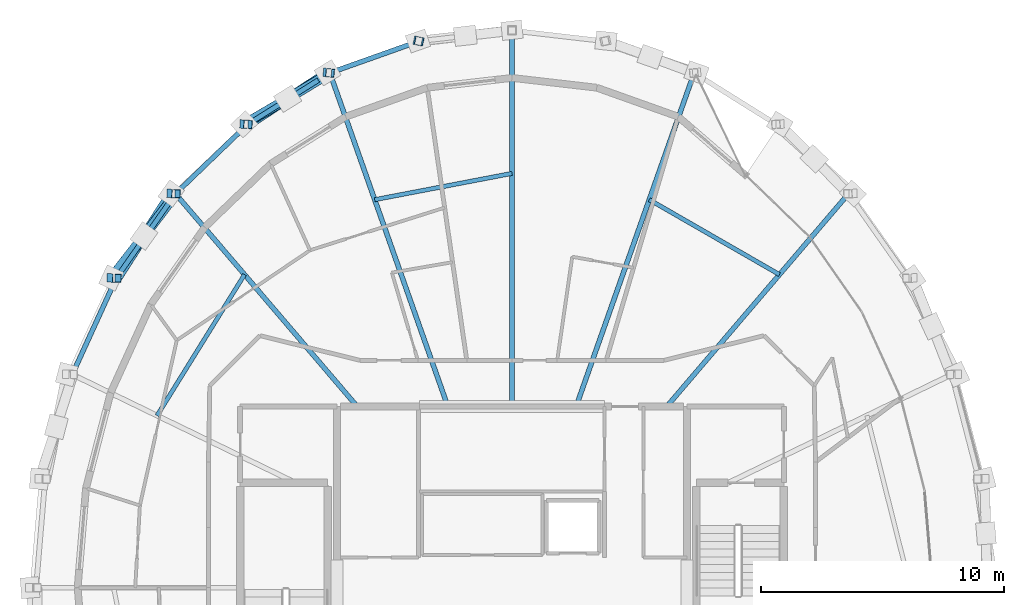
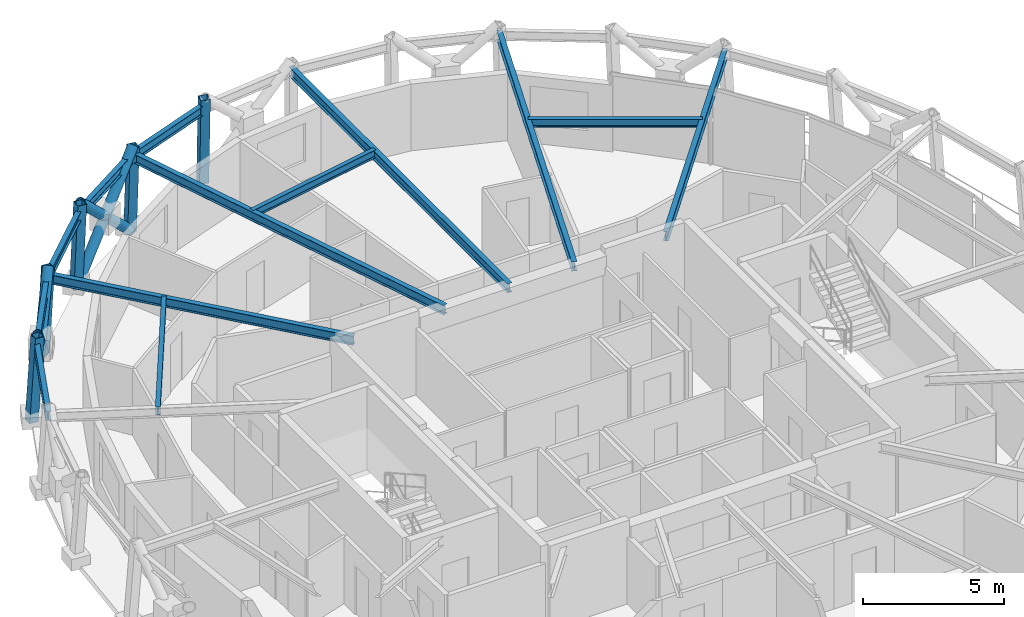
# One storey, part 6 of 15: 13 beams, 11 members.
"""IFC4 building model written with IfcOpenShell, lengths in metres."""

from ifc_helpers import new_model, si_unit, direction, frame, origin, origin_2d, place, context, subcontext, project, spatial, hollow_rectangle, hollow_circle, i_section, extrude, material, material_profile, profile_set, type_object, element, save


model = new_model("IFC4")

# Units and contexts
model_context = context("Model", 3, precision=1e-05, world=origin(), true_north=direction((0.0, 1.0)))
body_context = subcontext(model_context, "Body", "Model", "MODEL_VIEW")
ifc_project = project(units=[si_unit("LENGTHUNIT", "METRE"), si_unit("AREAUNIT", "SQUARE_METRE"), si_unit("VOLUMEUNIT", "CUBIC_METRE"), si_unit("PLANEANGLEUNIT", "RADIAN"), si_unit("MASSUNIT", "GRAM", prefix="KILO")], contexts=[model_context])

# Site, building, storey
site_placement = place(None, origin())
site = spatial("IfcSite", under=ifc_project, at=site_placement, CompositionType="ELEMENT")
building_placement = place(site_placement, origin())
building = spatial("IfcBuilding", under=site, at=building_placement, Name="Veldorina Hangang Commons", CompositionType="ELEMENT")
storey_placement = place(building_placement, frame((0.0, 0.0, 290.39990234375)))
storey = spatial("IfcBuildingStorey", under=building, at=storey_placement, Name="L76", CompositionType="ELEMENT", Elevation=290.39990234375)

# Beams
ifc_material = material(Name="Steel SM355-TMC", Category="steel")
ifc_material_profile_1 = material_profile(ifc_material, i_section(OverallWidth=0.199951171875, OverallDepth=0.39990234375, WebThickness=0.008056640625, FlangeThickness=0.012939453125, FilletRadius=0.012939453125, at=origin_2d()), Name="H-400x200x8x13")
ifc_profile_set_1 = profile_set([ifc_material_profile_1], Name="Steel SM355-TMC")
beam_type_1 = type_object("IfcBeamType", Name="BM-FG400", PredefinedType="BEAM", material=ifc_profile_set_1)
beam_1_placement = place(storey_placement, frame((38.36328125, 31.449951171875, 3.16015625), z_axis=(0.649450592283, 0.760403792852, 0.0), x_axis=(-0.760403792852, 0.649450592283, 0.0)))
element("IfcBeam", 1, at=beam_1_placement, inside=storey, type_object=beam_type_1, Name="L76 radial floor girder 03", PredefinedType="BEAM", context=body_context, shape_type="SweptSolid", body=[
    extrude(i_section(OverallWidth=0.199951171875, OverallDepth=0.39990234375, WebThickness=0.008056640625, FlangeThickness=0.012939453125, FilletRadius=0.012939453125, at=origin_2d()), origin(), (0.0, 0.0, 1.0), 11.51025390625),
])
beam_2_placement = place(storey_placement, frame((34.6357421875, 31.449951171875, 3.16015625), z_axis=(0.33352818718, 0.94274012769, 0.0), x_axis=(-0.94274012769, 0.33352818718, 0.0)))
element("IfcBeam", 2, at=beam_2_placement, inside=storey, type_object=beam_type_1, Name="L76 radial floor girder 04", PredefinedType="BEAM", context=body_context, shape_type="SweptSolid", body=[
    extrude(i_section(OverallWidth=0.199951171875, OverallDepth=0.39990234375, WebThickness=0.008056640625, FlangeThickness=0.012939453125, FilletRadius=0.012939453125, at=origin_2d()), origin(), (0.0, 0.0, 1.0), 14.552734375),
])
beam_3_placement = place(storey_placement, frame((32.0, 31.449951171875, 3.16015625), z_axis=(0.0, 1.0, 0.0), x_axis=(-1.0, 0.0, 0.0)))
element("IfcBeam", 3, at=beam_3_placement, inside=storey, type_object=beam_type_1, Name="L76 radial floor girder 05", PredefinedType="BEAM", context=body_context, shape_type="SweptSolid", body=[
    extrude(i_section(OverallWidth=0.199951171875, OverallDepth=0.39990234375, WebThickness=0.008056640625, FlangeThickness=0.012939453125, FilletRadius=0.012939453125, at=origin_2d()), origin(), (0.0, 0.0, 1.0), 15.463623046875),
])
beam_4_placement = place(storey_placement, frame((29.3642578125, 31.449951171875, 3.16015625), z_axis=(-0.33352818718, 0.94274012769, 0.0), x_axis=(-0.94274012769, -0.33352818718, 0.0)))
element("IfcBeam", 4, at=beam_4_placement, inside=storey, type_object=beam_type_1, Name="L76 radial floor girder 06", PredefinedType="BEAM", context=body_context, shape_type="SweptSolid", body=[
    extrude(i_section(OverallWidth=0.199951171875, OverallDepth=0.39990234375, WebThickness=0.008056640625, FlangeThickness=0.012939453125, FilletRadius=0.012939453125, at=origin_2d()), origin(), (0.0, 0.0, 1.0), 14.552734375),
])
beam_5_placement = place(storey_placement, frame((25.63671875, 31.449951171875, 3.16015625), z_axis=(-0.649450592283, 0.760403792852, 0.0), x_axis=(-0.760403792852, -0.649450592283, 0.0)))
element("IfcBeam", 5, at=beam_5_placement, inside=storey, type_object=beam_type_1, Name="L76 radial floor girder 07", PredefinedType="BEAM", context=body_context, shape_type="SweptSolid", body=[
    extrude(i_section(OverallWidth=0.199951171875, OverallDepth=0.39990234375, WebThickness=0.008056640625, FlangeThickness=0.012939453125, FilletRadius=0.012939453125, at=origin_2d()), origin(), (0.0, 0.0, 1.0), 11.51025390625),
])
ifc_material_profile_2 = material_profile(ifc_material, i_section(OverallWidth=0.175048828125, OverallDepth=0.35009765625, WebThickness=0.007080078125, FlangeThickness=0.010986328125, FilletRadius=0.012939453125, at=origin_2d()), Name="H-350x175x7x11")
ifc_profile_set_2 = profile_set([ifc_material_profile_2], Name="Steel SM355-TMC")
beam_type_2 = type_object("IfcBeamType", Name="BM-JST350", PredefinedType="JOIST", material=ifc_profile_set_2)
beam_6_placement = place(storey_placement, frame((42.998046875, 36.87646484375, 3.18505859375), z_axis=(-0.866794386354, 0.49866571146, 0.0), x_axis=(-0.49866571146, -0.866794386354, 0.0)))
element("IfcBeam", 6, at=beam_6_placement, inside=storey, type_object=beam_type_2, Name="L76 secondary floor joist 03", PredefinedType="JOIST", context=body_context, shape_type="SweptSolid", body=[
    extrude(i_section(OverallWidth=0.175048828125, OverallDepth=0.35009765625, WebThickness=0.007080078125, FlangeThickness=0.010986328125, FilletRadius=0.012939453125, at=origin_2d()), origin(), (0.0, 0.0, 1.0), 6.17578125),
])
beam_7_placement = place(storey_placement, frame((32.0, 41.037353515625, 3.18505859375), z_axis=(-0.982144339244, -0.188128936879, 0.0), x_axis=(0.188128936879, -0.982144339244, 0.0)))
element("IfcBeam", 7, at=beam_7_placement, inside=storey, type_object=beam_type_2, Name="L76 secondary floor joist 05", PredefinedType="JOIST", context=body_context, shape_type="SweptSolid", body=[
    extrude(i_section(OverallWidth=0.175048828125, OverallDepth=0.35009765625, WebThickness=0.007080078125, FlangeThickness=0.010986328125, FilletRadius=0.012939453125, at=origin_2d()), origin(), (0.0, 0.0, 1.0), 5.74755859375),
])
beam_8_placement = place(storey_placement, frame((21.001953125, 36.87646484375, 3.18505859375), z_axis=(-0.52717225078, -0.849758446859, 0.0), x_axis=(0.849758446859, -0.52717225078, 0.0)))
element("IfcBeam", 8, at=beam_8_placement, inside=storey, type_object=beam_type_2, Name="L76 secondary floor joist 07", PredefinedType="JOIST", context=body_context, shape_type="SweptSolid", body=[
    extrude(i_section(OverallWidth=0.175048828125, OverallDepth=0.35009765625, WebThickness=0.007080078125, FlangeThickness=0.010986328125, FilletRadius=0.012939453125, at=origin_2d()), origin(), (0.0, 0.0, 1.0), 6.823486328125),
])
ifc_material_profile_3 = material_profile(ifc_material, i_section(OverallWidth=0.199951171875, OverallDepth=0.39990234375, WebThickness=0.008056640625, FlangeThickness=0.012939453125, FilletRadius=0.012939453125, at=origin_2d()), Name="H-400x200x8x13")
ifc_profile_set_3 = profile_set([ifc_material_profile_3], Name="Steel SM355-TMC")
beam_type_3 = type_object("IfcBeamType", Name="BM-RB400", PredefinedType="BEAM", material=ifc_profile_set_3)
beam_9_placement = place(storey_placement, frame((28.181884765625, 46.473388671875, 3.16015625), z_axis=(-0.942330235689, -0.334684518474, 0.0), x_axis=(0.334684518474, -0.942330235689, 0.0)))
element("IfcBeam", 9, at=beam_9_placement, inside=storey, type_object=beam_type_3, Name="L76 perimeter hoop ring beam 09", PredefinedType="BEAM", context=body_context, shape_type="SweptSolid", body=[
    extrude(i_section(OverallWidth=0.199951171875, OverallDepth=0.39990234375, WebThickness=0.008056640625, FlangeThickness=0.012939453125, FilletRadius=0.012939453125, at=origin_2d()), origin(), (0.0, 0.0, 1.0), 3.89599609375),
])
beam_10_placement = place(storey_placement, frame((24.510498046875, 45.16943359375, 3.16015625), z_axis=(-0.847692335446, -0.530488175577, 0.0), x_axis=(0.530488175577, -0.847692335446, 0.0)))
element("IfcBeam", 10, at=beam_10_placement, inside=storey, type_object=beam_type_3, Name="L76 perimeter hoop ring beam 10", PredefinedType="BEAM", context=body_context, shape_type="SweptSolid", body=[
    extrude(i_section(OverallWidth=0.199951171875, OverallDepth=0.39990234375, WebThickness=0.008056640625, FlangeThickness=0.012939453125, FilletRadius=0.012939453125, at=origin_2d()), origin(), (0.0, 0.0, 1.0), 3.991455078125),
])
beam_11_placement = place(storey_placement, frame((21.126953125, 43.052001953125, 3.16015625), z_axis=(-0.721064584857, -0.692867854981, 0.0), x_axis=(0.692867854981, -0.721064584857, 0.0)))
element("IfcBeam", 11, at=beam_11_placement, inside=storey, type_object=beam_type_3, Name="L76 perimeter hoop ring beam 11", PredefinedType="BEAM", context=body_context, shape_type="SweptSolid", body=[
    extrude(i_section(OverallWidth=0.199951171875, OverallDepth=0.39990234375, WebThickness=0.008056640625, FlangeThickness=0.012939453125, FilletRadius=0.012939453125, at=origin_2d()), origin(), (0.0, 0.0, 1.0), 4.11279296875),
])
beam_12_placement = place(storey_placement, frame((18.161376953125, 40.202392578125, 3.16015625), z_axis=(-0.57399930825, -0.818855783474, 0.0), x_axis=(0.818855783474, -0.57399930825, 0.0)))
element("IfcBeam", 12, at=beam_12_placement, inside=storey, type_object=beam_type_3, Name="L76 perimeter hoop ring beam 12", PredefinedType="BEAM", context=body_context, shape_type="SweptSolid", body=[
    extrude(i_section(OverallWidth=0.199951171875, OverallDepth=0.39990234375, WebThickness=0.008056640625, FlangeThickness=0.012939453125, FilletRadius=0.012939453125, at=origin_2d()), origin(), (0.0, 0.0, 1.0), 4.240478515625),
])
beam_13_placement = place(storey_placement, frame((15.727294921875, 36.72998046875, 3.16015625), z_axis=(-0.415289323672, -0.909689385254, 0.0), x_axis=(0.909689385254, -0.415289323672, 0.0)))
element("IfcBeam", 13, at=beam_13_placement, inside=storey, type_object=beam_type_3, Name="L76 perimeter hoop ring beam 13", PredefinedType="BEAM", context=body_context, shape_type="SweptSolid", body=[
    extrude(i_section(OverallWidth=0.199951171875, OverallDepth=0.39990234375, WebThickness=0.008056640625, FlangeThickness=0.012939453125, FilletRadius=0.012939453125, at=origin_2d()), origin(), (0.0, 0.0, 1.0), 4.3544921875),
])

# Members
ifc_material_profile_4 = material_profile(ifc_material, hollow_circle(Radius=0.199951171875, WallThickness=0.02001953125, at=origin_2d()), Name="CHS-400x20")
ifc_profile_set_4 = profile_set([ifc_material_profile_4], Name="Steel SM355-TMC")
member_type_1 = type_object("IfcMemberType", Name="DG-CHS400", PredefinedType="BRACE", material=ifc_profile_set_4)
member_1_placement = place(storey_placement, frame((24.414794921875, 45.17919921875, 0.0), z_axis=(-0.615756387736, -0.40099829598, 0.678265757343), x_axis=(0.545712016989, -0.837972788648, 0.0)))
element("IfcMember", 14, at=member_1_placement, inside=storey, type_object=member_type_1, Name="L76 continuous perimeter diagrid brace 10", PredefinedType="BRACE", context=body_context, shape_type="SweptSolid", body=[
    extrude(hollow_circle(Radius=0.199951171875, WallThickness=0.02001953125, at=origin_2d()), origin(), (0.0, 0.0, 1.0), 5.307861328125),
])
member_2_placement = place(storey_placement, frame((20.98779296875, 43.060791015625, 0.0), z_axis=(0.649012768411, 0.381432654669, 0.658248855974), x_axis=(-0.506684978128, 0.862131273612, 0.0)))
element("IfcMember", 15, at=member_2_placement, inside=storey, type_object=member_type_1, Name="L76 split perimeter diagrid lower brace 11", PredefinedType="BRACE", context=body_context, shape_type="SweptSolid", body=[
    extrude(hollow_circle(Radius=0.199951171875, WallThickness=0.02001953125, at=origin_2d()), origin(), (0.0, 0.0, 1.0), 2.7490234375),
])
member_3_placement = place(storey_placement, frame((22.77197265625, 44.109375, 1.8095703125), z_axis=(0.644207146749, 0.389253370722, 0.658391194852), x_axis=(-0.51715932773, 0.855889145709, 0.0)))
element("IfcMember", 16, at=member_3_placement, inside=storey, type_object=member_type_1, Name="L76 split perimeter diagrid upper brace 11", PredefinedType="BRACE", context=body_context, shape_type="SweptSolid", body=[
    extrude(hollow_circle(Radius=0.199951171875, WallThickness=0.02001953125, at=origin_2d()), origin(), (0.0, 0.0, 1.0), 2.719482421875),
])
member_4_placement = place(storey_placement, frame((17.984130859375, 40.2099609375, 0.0), z_axis=(-0.406471019808, -0.635074775825, 0.65685716801), x_axis=(0.84225745263, -0.539075489602, 0.0)))
element("IfcMember", 17, at=member_4_placement, inside=storey, type_object=member_type_1, Name="L76 continuous perimeter diagrid brace 12", PredefinedType="BRACE", context=body_context, shape_type="SweptSolid", body=[
    extrude(hollow_circle(Radius=0.199951171875, WallThickness=0.02001953125, at=origin_2d()), origin(), (0.0, 0.0, 1.0), 5.480712890625),
])
member_5_placement = place(storey_placement, frame((15.519287109375, 36.736083984375, 0.0), z_axis=(0.474750427432, 0.608870432284, 0.63552248453), x_axis=(-0.788608137293, 0.614896093495, 0.0)))
element("IfcMember", 18, at=member_5_placement, inside=storey, type_object=member_type_1, Name="L76 split perimeter diagrid lower brace 13", PredefinedType="BRACE", context=body_context, shape_type="SweptSolid", body=[
    extrude(hollow_circle(Radius=0.199951171875, WallThickness=0.02001953125, at=origin_2d()), origin(), (0.0, 0.0, 1.0), 2.839599609375),
])
member_6_placement = place(storey_placement, frame((16.867431640625, 38.465087890625, 1.8046875), z_axis=(0.466866939091, 0.614767204373, 0.635685885962), x_axis=(-0.796384392019, 0.604790790396, 0.0)))
element("IfcMember", 19, at=member_6_placement, inside=storey, type_object=member_type_1, Name="L76 split perimeter diagrid upper brace 13", PredefinedType="BRACE", context=body_context, shape_type="SweptSolid", body=[
    extrude(hollow_circle(Radius=0.199951171875, WallThickness=0.02001953125, at=origin_2d()), origin(), (0.0, 0.0, 1.0), 2.824462890625),
])
ifc_material_profile_5 = material_profile(ifc_material, hollow_rectangle(XDim=0.35009765625, YDim=0.35009765625, WallThickness=0.01611328125, at=origin_2d()), Name="SHS-350x350x16")
ifc_profile_set_5 = profile_set([ifc_material_profile_5], Name="Steel SM355-TMC")
member_type_2 = type_object("IfcMemberType", Name="STR-SHS350", PredefinedType="STRUT", material=ifc_profile_set_5)
member_7_placement = place(storey_placement, frame((28.133056640625, 46.483642578125, 0.0), z_axis=(0.015459890388, -0.003254713766, 0.999875191525), x_axis=(0.20601048105, 0.978549784987, 0.0)))
element("IfcMember", 20, at=member_7_placement, inside=storey, type_object=member_type_2, Name="L76 perimeter ring node post 09", PredefinedType="STRUT", context=body_context, shape_type="SweptSolid", body=[
    extrude(hollow_rectangle(XDim=0.35009765625, YDim=0.35009765625, WallThickness=0.01611328125, at=origin_2d()), origin(), (0.0, 0.0, 1.0), 3.6005859375),
])
member_8_placement = place(storey_placement, frame((24.414794921875, 45.17919921875, 0.0), z_axis=(0.030299240211, -0.003118042617, 0.999536009283), x_axis=(0.102367662345, 0.994746631915, 0.0)))
element("IfcMember", 21, at=member_8_placement, inside=storey, type_object=member_type_2, Name="L76 perimeter ring node post 10", PredefinedType="STRUT", context=body_context, shape_type="SweptSolid", body=[
    extrude(hollow_rectangle(XDim=0.35009765625, YDim=0.35009765625, WallThickness=0.01611328125, at=origin_2d()), origin(), (0.0, 0.0, 1.0), 3.601806640625),
])
member_9_placement = place(storey_placement, frame((20.98779296875, 43.060791015625, 0.0), z_axis=(0.044036818843, -0.002777707035, 0.999026047173), x_axis=(0.06295181426, 0.998016567539, 0.0)))
element("IfcMember", 22, at=member_9_placement, inside=storey, type_object=member_type_2, Name="L76 perimeter ring node post 11", PredefinedType="STRUT", context=body_context, shape_type="SweptSolid", body=[
    extrude(hollow_rectangle(XDim=0.35009765625, YDim=0.35009765625, WallThickness=0.01611328125, at=origin_2d()), origin(), (0.0, 0.0, 1.0), 3.603515625),
])
member_10_placement = place(storey_placement, frame((17.984130859375, 40.2099609375, 0.0), z_axis=(0.055994856807, -0.002369794424, 0.998428244836), x_axis=(0.042283793731, 0.999105640454, 0.0)))
element("IfcMember", 23, at=member_10_placement, inside=storey, type_object=member_type_2, Name="L76 perimeter ring node post 12", PredefinedType="STRUT", context=body_context, shape_type="SweptSolid", body=[
    extrude(hollow_rectangle(XDim=0.35009765625, YDim=0.35009765625, WallThickness=0.01611328125, at=origin_2d()), origin(), (0.0, 0.0, 1.0), 3.605712890625),
])
member_11_placement = place(storey_placement, frame((15.519287109375, 36.736083984375, 0.0), z_axis=(0.065705950806, -0.001894713309, 0.997837230259), x_axis=(0.028824269664, 0.999584494417, 0.0)))
element("IfcMember", 24, at=member_11_placement, inside=storey, type_object=member_type_2, Name="L76 perimeter ring node post 13", PredefinedType="STRUT", context=body_context, shape_type="SweptSolid", body=[
    extrude(hollow_rectangle(XDim=0.35009765625, YDim=0.35009765625, WallThickness=0.01611328125, at=origin_2d()), origin(), (0.0, 0.0, 1.0), 3.60791015625),
])

save(model, "model.ifc")
